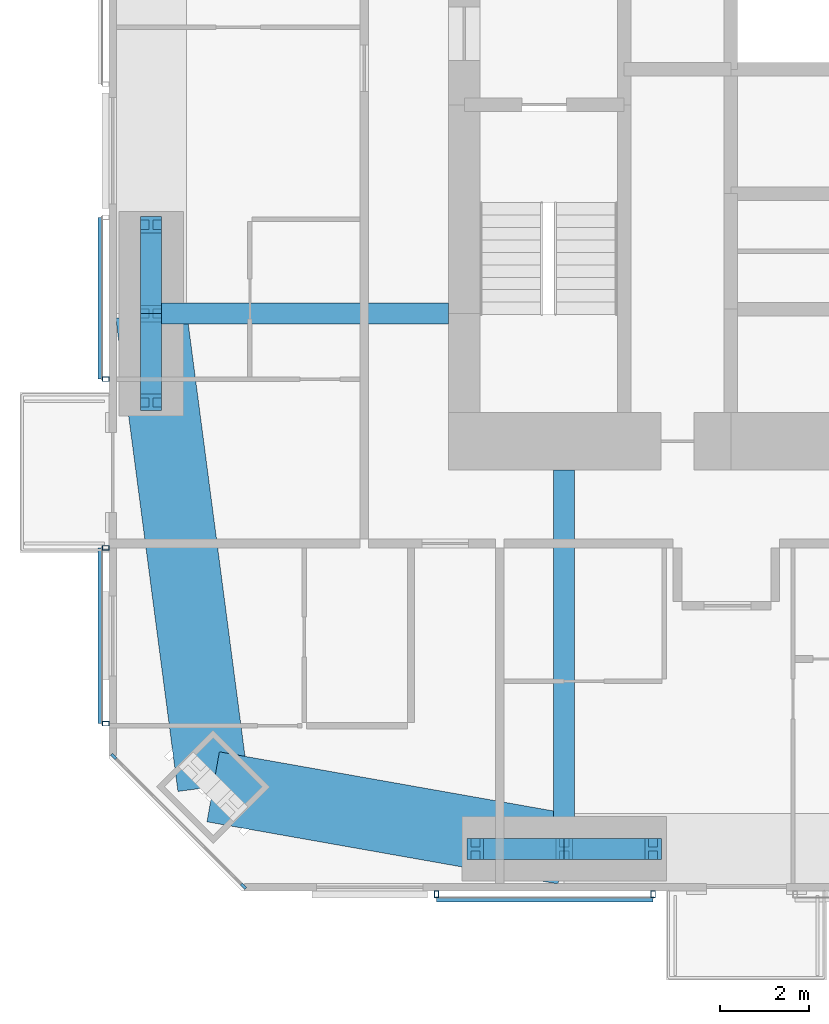
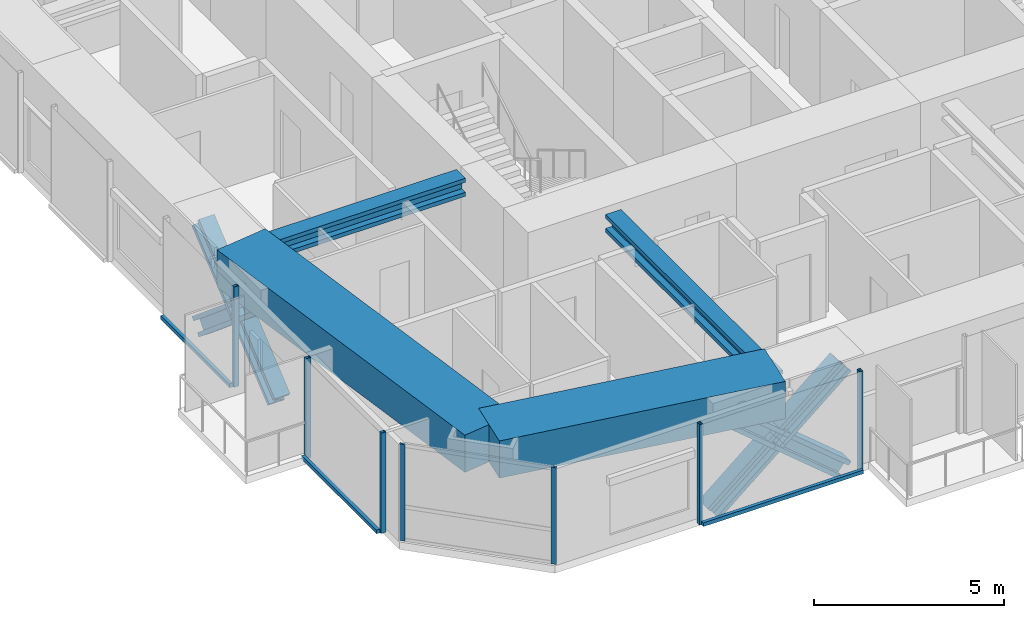
# One storey, part 2 of 23: 18 members, 4 beams, 4 elements without a shape of their own.
"""IFC4 building model written with IfcOpenShell, lengths in metres."""

from ifc_helpers import new_model, si_unit, direction, frame, origin, origin_2d, place, context, subcontext, project, spatial, rectangle, hollow_rectangle, i_section, extrude, material, material_profile, profile_set, type_object, element, aggregate, save


model = new_model("IFC4")

# Units and contexts
model_context = context("Model", 3, precision=1e-05, world=origin(), true_north=direction((0.0, 1.0)))
body_context = subcontext(model_context, "Body", "Model", "MODEL_VIEW")
ifc_project = project(units=[si_unit("LENGTHUNIT", "METRE"), si_unit("AREAUNIT", "SQUARE_METRE"), si_unit("VOLUMEUNIT", "CUBIC_METRE"), si_unit("PLANEANGLEUNIT", "RADIAN"), si_unit("MASSUNIT", "GRAM", prefix="KILO")], contexts=[model_context])

# Site, building, storey
site_placement = place(None, origin())
site = spatial("IfcSite", under=ifc_project, at=site_placement, CompositionType="ELEMENT")
building_placement = place(site_placement, origin())
building = spatial("IfcBuilding", under=site, at=building_placement, Name="Jalousie Tower", CompositionType="ELEMENT")
storey_placement = place(building_placement, frame((0.0, 0.0, 157.699951171875)))
storey = spatial("IfcBuildingStorey", under=building, at=storey_placement, Name="L42", CompositionType="ELEMENT", Elevation=157.699951171875)

# Curtain wall, members
ifc_material_1 = material(Name="Aluminium curtain wall", Category="aluminium")
curtain_wall_type_1 = type_object("IfcCurtainWallType", Name="CORNER WINDOW WALL", PredefinedType="USERDEFINED", material=ifc_material_1)
curtain_wall_1_placement = place(storey_placement, origin())
curtain_wall_1 = element("IfcCurtainWall", 1, at=curtain_wall_1_placement, inside=storey, type_object=curtain_wall_type_1, Name="Corner Window Wall L42 8", ObjectType="CORNER WINDOW WALL", PredefinedType="USERDEFINED")
ifc_material_2 = material(Name="Aluminium mullion", Category="aluminium")
ifc_material_profile_1 = material_profile(ifc_material_2, rectangle(XDim=0.06005859375, YDim=0.14990234375, at=origin_2d()), Name="MULLION 60x150")
ifc_profile_set_1 = profile_set([ifc_material_profile_1], Name="Aluminium mullion")
member_type_1 = type_object("IfcMemberType", Name="CORNER WINDOW WALL MULLION", PredefinedType="MULLION", material=ifc_profile_set_1)
member_1_placement = place(storey_placement, frame((12.108642578125, 3.030029296875, 0.0), z_axis=(0.0, 0.0, 1.0), x_axis=(0.707106781187, 0.707106781187, 0.0)))
member_1 = element("IfcMember", 2, at=member_1_placement, type_object=member_type_1, Name="CW-C mullion 1", PredefinedType="MULLION", context=body_context, shape_type="SweptSolid", body=[
    extrude(rectangle(XDim=0.06005859375, YDim=0.14990234375, at=origin_2d()), origin(), (0.0, 0.0, 1.0), 3.110107421875),
])
member_2_placement = place(storey_placement, frame((15.030029296875, 0.108642578125, 0.0), z_axis=(0.0, 0.0, 1.0), x_axis=(0.707106781187, 0.707106781187, 0.0)))
member_2 = element("IfcMember", 3, at=member_2_placement, type_object=member_type_1, Name="CW-C mullion 2", PredefinedType="MULLION", context=body_context, shape_type="SweptSolid", body=[
    extrude(rectangle(XDim=0.06005859375, YDim=0.14990234375, at=origin_2d()), origin(), (0.0, 0.0, 1.0), 3.110107421875),
])
aggregate(curtain_wall_1, [member_1, member_2])

# Beams
ifc_material_3 = material(Name="Steel ASTM A992 Grade 50", Category="steel")
ifc_material_profile_2 = material_profile(ifc_material_3, i_section(OverallWidth=0.472412109375, OverallDepth=0.5791015625, WebThickness=0.094970703125, FlangeThickness=0.1298828125, at=origin_2d()), Name="W14X808")
ifc_profile_set_2 = profile_set([ifc_material_profile_2], Name="Steel ASTM A992 Grade 50")
beam_type_1 = type_object("IfcBeamType", Name="LEAN COLLECTOR W14X808", PredefinedType="BEAM", material=ifc_profile_set_2)
beam_1_placement = place(storey_placement, frame((12.949951171875, 13.0, 2.820556640625), z_axis=(1.0, 0.0, 0.0), x_axis=(0.0, 1.0, 0.0)))
element("IfcBeam", 4, at=beam_1_placement, inside=storey, type_object=beam_type_1, Name="Lean collector under L43", PredefinedType="BEAM", context=body_context, shape_type="SweptSolid", body=[
    extrude(i_section(OverallWidth=0.472412109375, OverallDepth=0.5791015625, WebThickness=0.094970703125, FlangeThickness=0.1298828125, at=origin_2d()), origin(), (0.0, 0.0, 1.0), 6.699951171875),
])
beam_2_placement = place(storey_placement, frame((22.25, 0.949951171875, 2.820556640625), z_axis=(0.0, 1.0, 0.0), x_axis=(-1.0, 0.0, 0.0)))
element("IfcBeam", 5, at=beam_2_placement, inside=storey, type_object=beam_type_1, Name="Lean collector under L43", PredefinedType="BEAM", context=body_context, shape_type="SweptSolid", body=[
    extrude(i_section(OverallWidth=0.472412109375, OverallDepth=0.5791015625, WebThickness=0.094970703125, FlangeThickness=0.1298828125, at=origin_2d()), origin(), (0.0, 0.0, 1.0), 8.525146484375),
])

# Members
ifc_material_4 = material(Name="Steel ASTM A992 Grade 50", Category="steel")
ifc_material_profile_3 = material_profile(ifc_material_4, i_section(OverallWidth=0.472412109375, OverallDepth=0.5791015625, WebThickness=0.094970703125, FlangeThickness=0.1298828125, at=origin_2d()), Name="W14X808")
ifc_profile_set_3 = profile_set([ifc_material_profile_3], Name="Steel ASTM A992 Grade 50")
member_type_2 = type_object("IfcMemberType", Name="PERIMETER BRACE W14X808", PredefinedType="BRACE", material=ifc_profile_set_3)
member_3_placement = place(storey_placement, frame((20.25, 0.949951171875, -0.599853515625), z_axis=(0.766684820047, 0.0, 0.642023665225), x_axis=(0.0, 1.0, 0.0)))
element("IfcMember", 6, at=member_3_placement, inside=storey, type_object=member_type_2, Name="Perimeter brace 02 L42 part 1", PredefinedType="BRACE", context=body_context, shape_type="SweptSolid", body=[
    extrude(i_section(OverallWidth=0.472412109375, OverallDepth=0.5791015625, WebThickness=0.094970703125, FlangeThickness=0.1298828125, at=origin_2d()), origin(), (0.0, 0.0, 1.0), 2.608642578125),
])
member_4_placement = place(storey_placement, frame((22.25, 0.949951171875, 1.074951171875), z_axis=(0.766638753323, 0.0, 0.642078672674), x_axis=(0.0, 1.0, 0.0)))
element("IfcMember", 7, at=member_4_placement, inside=storey, type_object=member_type_2, Name="Perimeter brace 02 L42 part 2", PredefinedType="BRACE", context=body_context, shape_type="SweptSolid", body=[
    extrude(i_section(OverallWidth=0.472412109375, OverallDepth=0.5791015625, WebThickness=0.094970703125, FlangeThickness=0.1298828125, at=origin_2d()), origin(), (0.0, 0.0, 1.0), 2.60888671875),
])
member_5_placement = place(storey_placement, frame((24.25, 0.949951171875, -0.599853515625), z_axis=(-0.766684820047, 0.0, 0.642023665225), x_axis=(0.0, -1.0, 0.0)))
element("IfcMember", 8, at=member_5_placement, inside=storey, type_object=member_type_2, Name="Perimeter brace 02 L42 part 3", PredefinedType="BRACE", context=body_context, shape_type="SweptSolid", body=[
    extrude(i_section(OverallWidth=0.472412109375, OverallDepth=0.5791015625, WebThickness=0.094970703125, FlangeThickness=0.1298828125, at=origin_2d()), origin(), (0.0, 0.0, 1.0), 2.608642578125),
])
member_6_placement = place(storey_placement, frame((22.25, 0.949951171875, 1.074951171875), z_axis=(-0.766638753323, 0.0, 0.642078672674), x_axis=(0.0, -1.0, 0.0)))
element("IfcMember", 9, at=member_6_placement, inside=storey, type_object=member_type_2, Name="Perimeter brace 02 L42 part 4", PredefinedType="BRACE", context=body_context, shape_type="SweptSolid", body=[
    extrude(i_section(OverallWidth=0.472412109375, OverallDepth=0.5791015625, WebThickness=0.094970703125, FlangeThickness=0.1298828125, at=origin_2d()), origin(), (0.0, 0.0, 1.0), 2.60888671875),
])
member_7_placement = place(storey_placement, frame((12.949951171875, 11.0, -0.599853515625), z_axis=(0.0, 0.766684820047, 0.642023665225), x_axis=(-1.0, 0.0, 0.0)))
element("IfcMember", 10, at=member_7_placement, inside=storey, type_object=member_type_2, Name="Perimeter brace 14 L42 part 1", PredefinedType="BRACE", context=body_context, shape_type="SweptSolid", body=[
    extrude(i_section(OverallWidth=0.472412109375, OverallDepth=0.5791015625, WebThickness=0.094970703125, FlangeThickness=0.1298828125, at=origin_2d()), origin(), (0.0, 0.0, 1.0), 2.608642578125),
])
member_8_placement = place(storey_placement, frame((12.949951171875, 13.0, 1.074951171875), z_axis=(0.0, 0.766638753323, 0.642078672674), x_axis=(-1.0, 0.0, 0.0)))
element("IfcMember", 11, at=member_8_placement, inside=storey, type_object=member_type_2, Name="Perimeter brace 14 L42 part 2", PredefinedType="BRACE", context=body_context, shape_type="SweptSolid", body=[
    extrude(i_section(OverallWidth=0.472412109375, OverallDepth=0.5791015625, WebThickness=0.094970703125, FlangeThickness=0.1298828125, at=origin_2d()), origin(), (0.0, 0.0, 1.0), 2.60888671875),
])
member_9_placement = place(storey_placement, frame((12.949951171875, 15.0, -0.599853515625), z_axis=(0.0, -0.766684820047, 0.642023665225), x_axis=(1.0, 0.0, 0.0)))
element("IfcMember", 12, at=member_9_placement, inside=storey, type_object=member_type_2, Name="Perimeter brace 14 L42 part 3", PredefinedType="BRACE", context=body_context, shape_type="SweptSolid", body=[
    extrude(i_section(OverallWidth=0.472412109375, OverallDepth=0.5791015625, WebThickness=0.094970703125, FlangeThickness=0.1298828125, at=origin_2d()), origin(), (0.0, 0.0, 1.0), 2.608642578125),
])
member_10_placement = place(storey_placement, frame((12.949951171875, 13.0, 1.074951171875), z_axis=(0.0, -0.766638753323, 0.642078672674), x_axis=(1.0, 0.0, 0.0)))
element("IfcMember", 13, at=member_10_placement, inside=storey, type_object=member_type_2, Name="Perimeter brace 14 L42 part 4", PredefinedType="BRACE", context=body_context, shape_type="SweptSolid", body=[
    extrude(i_section(OverallWidth=0.472412109375, OverallDepth=0.5791015625, WebThickness=0.094970703125, FlangeThickness=0.1298828125, at=origin_2d()), origin(), (0.0, 0.0, 1.0), 2.60888671875),
])

# Beams
ifc_material_5 = material(Name="Concrete f'c 40 MPa", Category="concrete")
ifc_material_profile_4 = material_profile(ifc_material_5, rectangle(XDim=1.60009765625, YDim=1.199951171875, at=origin_2d()), Name="RC 1600x1200")
ifc_profile_set_4 = profile_set([ifc_material_profile_4], Name="Concrete f'c 40 MPa")
beam_type_2 = type_object("IfcBeamType", Name="RC BEAM 1600x1200", PredefinedType="BEAM", material=ifc_profile_set_4)
beam_3_placement = place(storey_placement, frame((14.348388671875, 2.348388671875, 2.75), z_axis=(0.984697370688, -0.174273027632, 0.0), x_axis=(0.174273027632, 0.984697370688, 0.0)))
element("IfcBeam", 14, at=beam_3_placement, inside=storey, type_object=beam_type_2, Name="Edge band beam 01-02 under L43", PredefinedType="BEAM", context=body_context, shape_type="SweptSolid", body=[
    extrude(rectangle(XDim=1.60009765625, YDim=1.199951171875, at=origin_2d()), origin(), (0.0, 0.0, 1.0), 8.0244140625),
])
beam_4_placement = place(storey_placement, frame((12.949951171875, 13.0, 2.75), z_axis=(0.130171745558, -0.991491460709, 0.0), x_axis=(0.991491460709, 0.130171745558, 0.0)))
element("IfcBeam", 15, at=beam_4_placement, inside=storey, type_object=beam_type_2, Name="Edge band beam 14-01 under L43", PredefinedType="BEAM", context=body_context, shape_type="SweptSolid", body=[
    extrude(rectangle(XDim=1.60009765625, YDim=1.199951171875, at=origin_2d()), origin(), (0.0, 0.0, 1.0), 10.742919921875),
])

# Curtain wall, members
ifc_material_6 = material(Name="Perforated aluminium sheet", Category="aluminium")
curtain_wall_type_2 = type_object("IfcCurtainWallType", Name="SOLAR SCREEN SS-1", PredefinedType="USERDEFINED", material=ifc_material_6)
curtain_wall_2_placement = place(storey_placement, origin())
curtain_wall_2 = element("IfcCurtainWall", 16, at=curtain_wall_2_placement, inside=storey, type_object=curtain_wall_type_2, Name="Solar screen L42", ObjectType="SOLAR SCREEN SS-1", PredefinedType="USERDEFINED")
ifc_material_7 = material(Name="Steel ASTM A500 Grade C", Category="steel")
ifc_material_profile_5 = material_profile(ifc_material_7, hollow_rectangle(XDim=0.1015625, YDim=0.15234375, WallThickness=0.00634765625, at=origin_2d()), Name="HSS6X4X1/4")
ifc_profile_set_5 = profile_set([ifc_material_profile_5], Name="Steel ASTM A500 Grade C")
member_type_3 = type_object("IfcMemberType", Name="SOLAR SCREEN SS-1 MULLION", PredefinedType="MULLION", material=ifc_profile_set_5)
member_11_placement = place(storey_placement, frame((19.375732421875, -0.0712890625, -0.119873046875), z_axis=(0.0, 0.0, 1.0), x_axis=(1.0, 0.0, 0.0)))
member_11 = element("IfcMember", 17, at=member_11_placement, type_object=member_type_3, Name="SS1 post 1", PredefinedType="MULLION", context=body_context, shape_type="SweptSolid", body=[
    extrude(hollow_rectangle(XDim=0.1015625, YDim=0.15234375, WallThickness=0.00634765625, at=origin_2d()), origin(), (0.0, 0.0, 1.0), 3.22998046875),
])
member_12_placement = place(storey_placement, frame((24.25, -0.0712890625, -0.119873046875), z_axis=(0.0, 0.0, 1.0), x_axis=(1.0, 0.0, 0.0)))
member_12 = element("IfcMember", 18, at=member_12_placement, type_object=member_type_3, Name="SS1 post 2", PredefinedType="MULLION", context=body_context, shape_type="SweptSolid", body=[
    extrude(hollow_rectangle(XDim=0.1015625, YDim=0.15234375, WallThickness=0.00634765625, at=origin_2d()), origin(), (0.0, 0.0, 1.0), 3.22998046875),
])

# Curtain wall, member
curtain_wall_3_placement = place(storey_placement, origin())
curtain_wall_3 = element("IfcCurtainWall", 19, at=curtain_wall_3_placement, inside=storey, type_object=curtain_wall_type_2, Name="Solar screen L42", ObjectType="SOLAR SCREEN SS-1", PredefinedType="USERDEFINED")
member_13_placement = place(storey_placement, frame((11.9287109375, 11.52490234375, -0.119873046875), z_axis=(0.0, 0.0, 1.0), x_axis=(0.0, -1.0, 0.0)))
member_13 = element("IfcMember", 20, at=member_13_placement, type_object=member_type_3, Name="SS1 post 2", PredefinedType="MULLION", context=body_context, shape_type="SweptSolid", body=[
    extrude(hollow_rectangle(XDim=0.1015625, YDim=0.15234375, WallThickness=0.00634765625, at=origin_2d()), origin(), (0.0, 0.0, 1.0), 3.22998046875),
])

# Curtain wall, members
curtain_wall_4_placement = place(storey_placement, origin())
curtain_wall_4 = element("IfcCurtainWall", 21, at=curtain_wall_4_placement, inside=storey, type_object=curtain_wall_type_2, Name="Solar screen L42", ObjectType="SOLAR SCREEN SS-1", PredefinedType="USERDEFINED")
member_14_placement = place(storey_placement, frame((11.9287109375, 7.72509765625, -0.119873046875), z_axis=(0.0, 0.0, 1.0), x_axis=(0.0, -1.0, 0.0)))
member_14 = element("IfcMember", 22, at=member_14_placement, type_object=member_type_3, Name="SS1 post 1", PredefinedType="MULLION", context=body_context, shape_type="SweptSolid", body=[
    extrude(hollow_rectangle(XDim=0.1015625, YDim=0.15234375, WallThickness=0.00634765625, at=origin_2d()), origin(), (0.0, 0.0, 1.0), 3.22998046875),
])
member_15_placement = place(storey_placement, frame((11.9287109375, 3.771240234375, -0.119873046875), z_axis=(0.0, 0.0, 1.0), x_axis=(0.0, -1.0, 0.0)))
member_15 = element("IfcMember", 23, at=member_15_placement, type_object=member_type_3, Name="SS1 post 2", PredefinedType="MULLION", context=body_context, shape_type="SweptSolid", body=[
    extrude(hollow_rectangle(XDim=0.1015625, YDim=0.15234375, WallThickness=0.00634765625, at=origin_2d()), origin(), (0.0, 0.0, 1.0), 3.22998046875),
])

# Member
ifc_material_8 = material(Name="Extruded aluminium screen rail", Category="aluminium")
ifc_material_profile_6 = material_profile(ifc_material_8, rectangle(XDim=0.1015625, YDim=0.1201171875, at=origin_2d()), Name="RAIL 102x120")
ifc_profile_set_6 = profile_set([ifc_material_profile_6], Name="Extruded aluminium screen rail")
member_type_4 = type_object("IfcMemberType", Name="SOLAR SCREEN SS-1 TRANSOM", PredefinedType="USERDEFINED", material=ifc_profile_set_6)
member_16_placement = place(storey_placement, frame((19.375732421875, -0.1982421875, -0.06005859375), z_axis=(1.0, 0.0, 0.0), x_axis=(0.0, 1.0, 0.0)))
member_16 = element("IfcMember", 24, at=member_16_placement, type_object=member_type_4, Name="SS1 rail", ObjectType="TRANSOM", PredefinedType="USERDEFINED", context=body_context, shape_type="SweptSolid", body=[
    extrude(rectangle(XDim=0.1015625, YDim=0.1201171875, at=origin_2d()), origin(), (0.0, 0.0, 1.0), 4.874267578125),
])

aggregate(curtain_wall_2, [member_11, member_12, member_16])

member_17_placement = place(storey_placement, frame((11.8017578125, 15.166015625, -0.06005859375), z_axis=(0.0, -1.0, 0.0), x_axis=(1.0, 0.0, 0.0)))
member_17 = element("IfcMember", 25, at=member_17_placement, type_object=member_type_4, Name="SS1 rail", ObjectType="TRANSOM", PredefinedType="USERDEFINED", context=body_context, shape_type="SweptSolid", body=[
    extrude(rectangle(XDim=0.1015625, YDim=0.1201171875, at=origin_2d()), origin(), (0.0, 0.0, 1.0), 3.64111328125),
])

aggregate(curtain_wall_3, [member_13, member_17])

member_18_placement = place(storey_placement, frame((11.8017578125, 7.72509765625, -0.06005859375), z_axis=(0.0, -1.0, 0.0), x_axis=(1.0, 0.0, 0.0)))
member_18 = element("IfcMember", 26, at=member_18_placement, type_object=member_type_4, Name="SS1 rail", ObjectType="TRANSOM", PredefinedType="USERDEFINED", context=body_context, shape_type="SweptSolid", body=[
    extrude(rectangle(XDim=0.1015625, YDim=0.1201171875, at=origin_2d()), origin(), (0.0, 0.0, 1.0), 3.953857421875),
])

aggregate(curtain_wall_4, [member_14, member_15, member_18])

save(model, "model.ifc")
